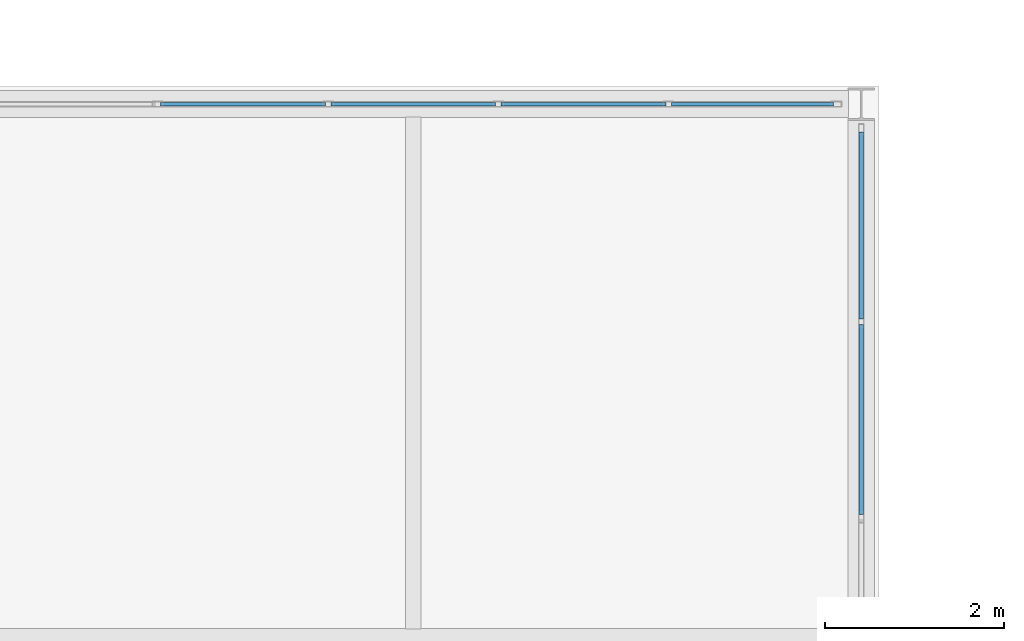
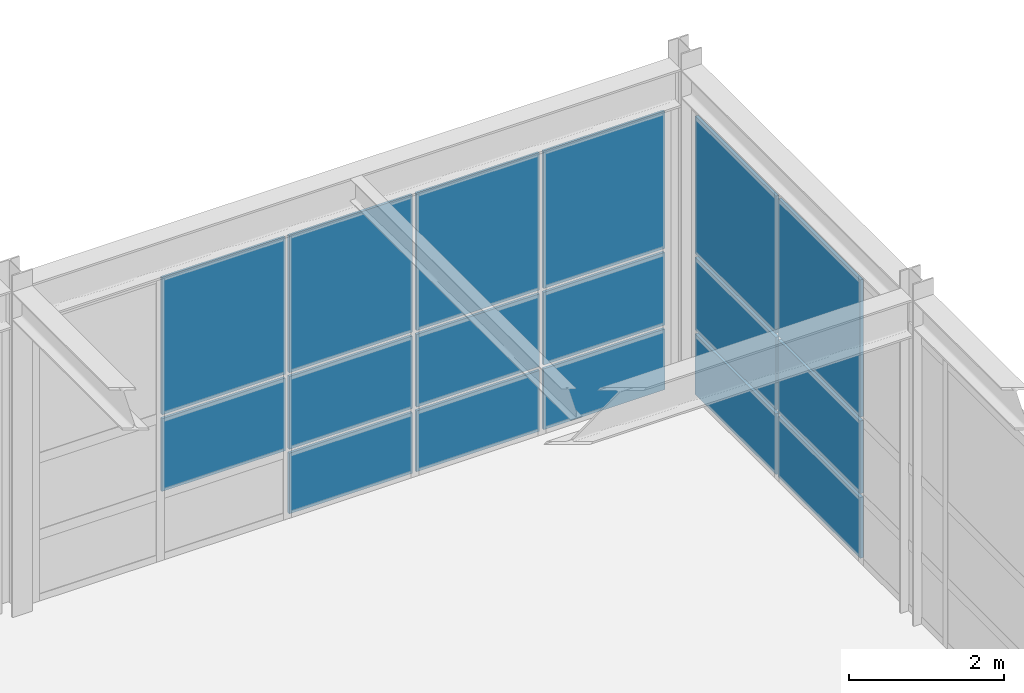
# One storey, part 149 of 210: 17 plates, 2 elements without a shape of their own.
"""IFC4 building model written with IfcOpenShell, lengths in metres."""

from ifc_helpers import new_model, si_unit, direction, frame, origin, origin_2d, place, context, subcontext, project, spatial, rectangle, extrude, material, type_object, element, aggregate, save


model = new_model("IFC4")

# Units and contexts
model_context = context("Model", 3, precision=1e-05, world=origin(), true_north=direction((0.0, 1.0)))
body_context = subcontext(model_context, "Body", "Model", "MODEL_VIEW")
ifc_project = project(units=[si_unit("LENGTHUNIT", "METRE"), si_unit("AREAUNIT", "SQUARE_METRE"), si_unit("VOLUMEUNIT", "CUBIC_METRE"), si_unit("PLANEANGLEUNIT", "RADIAN"), si_unit("MASSUNIT", "GRAM", prefix="KILO")], contexts=[model_context])

# Site, building, storey
site_placement = place(None, origin())
site = spatial("IfcSite", under=ifc_project, at=site_placement, CompositionType="ELEMENT")
building_placement = place(site_placement, origin())
building = spatial("IfcBuilding", under=site, at=building_placement, Name="Kaldris Quays Convention Centre", CompositionType="ELEMENT")
storey_placement = place(building_placement, frame((0.0, 0.0, 6.0)))
storey = spatial("IfcBuildingStorey", under=building, at=storey_placement, Name="L01", CompositionType="ELEMENT", Elevation=6.0)

# Curtain wall, plates
ifc_material_1 = material(Name="Anodized aluminium AW-6060 and triple glazing", Category="aluminium")
curtain_wall_type = type_object("IfcCurtainWallType", Name="UNITISED CURTAIN WALL CW06", PredefinedType="NOTDEFINED", material=ifc_material_1)
curtain_wall_1_placement = place(storey_placement, origin())
curtain_wall_1 = element("IfcCurtainWall", 1, at=curtain_wall_1_placement, inside=storey, type_object=curtain_wall_type, Name="L01 Unitised Curtain Wall CW06 163", PredefinedType="NOTDEFINED")
ifc_material_2 = material(Name="Triple low-E insulated glazing", Category="glass")
plate_type_1 = type_object("IfcPlateType", Name="CURTAIN GLAZING PANEL CWP3", PredefinedType="CURTAIN_PANEL", material=ifc_material_2)
plate_1_placement = place(storey_placement, frame((187.10009765625, 116.0, 1.080078125), z_axis=(0.0, 0.0, 1.0), x_axis=(1.0, 0.0, 0.0)))
plate_1 = element("IfcPlate", 2, at=plate_1_placement, type_object=plate_type_1, Name="CW06 panel 2.2", PredefinedType="CURTAIN_PANEL", context=body_context, shape_type="SweptSolid", body=[
    extrude(rectangle(XDim=1.840087890625, YDim=0.0390625, at=origin_2d()), origin(), (0.0, 0.0, 1.0), 1.14892578125),
])
plate_2_placement = place(storey_placement, frame((187.10009765625, 116.0, 2.2890625), z_axis=(0.0, 0.0, 1.0), x_axis=(1.0, 0.0, 0.0)))
plate_2 = element("IfcPlate", 3, at=plate_2_placement, type_object=plate_type_1, Name="CW06 panel 2.3", PredefinedType="CURTAIN_PANEL", context=body_context, shape_type="SweptSolid", body=[
    extrude(rectangle(XDim=1.840087890625, YDim=0.0390625, at=origin_2d()), origin(), (0.0, 0.0, 1.0), 2.1689453125),
])
plate_3_placement = place(storey_placement, frame((189.0, 116.0, 0.06005859375), z_axis=(0.0, 0.0, 1.0), x_axis=(1.0, 0.0, 0.0)))
plate_3 = element("IfcPlate", 4, at=plate_3_placement, type_object=plate_type_1, Name="CW06 panel 3.1", PredefinedType="CURTAIN_PANEL", context=body_context, shape_type="SweptSolid", body=[
    extrude(rectangle(XDim=1.840087890625, YDim=0.0390625, at=origin_2d()), origin(), (0.0, 0.0, 1.0), 0.9599609375),
])
plate_4_placement = place(storey_placement, frame((189.0, 116.0, 1.080078125), z_axis=(0.0, 0.0, 1.0), x_axis=(1.0, 0.0, 0.0)))
plate_4 = element("IfcPlate", 5, at=plate_4_placement, type_object=plate_type_1, Name="CW06 panel 3.2", PredefinedType="CURTAIN_PANEL", context=body_context, shape_type="SweptSolid", body=[
    extrude(rectangle(XDim=1.840087890625, YDim=0.0390625, at=origin_2d()), origin(), (0.0, 0.0, 1.0), 1.14892578125),
])
plate_5_placement = place(storey_placement, frame((189.0, 116.0, 2.2890625), z_axis=(0.0, 0.0, 1.0), x_axis=(1.0, 0.0, 0.0)))
plate_5 = element("IfcPlate", 6, at=plate_5_placement, type_object=plate_type_1, Name="CW06 panel 3.3", PredefinedType="CURTAIN_PANEL", context=body_context, shape_type="SweptSolid", body=[
    extrude(rectangle(XDim=1.840087890625, YDim=0.0390625, at=origin_2d()), origin(), (0.0, 0.0, 1.0), 2.1689453125),
])
plate_6_placement = place(storey_placement, frame((190.89990234375, 116.0, 0.06005859375), z_axis=(0.0, 0.0, 1.0), x_axis=(1.0, 0.0, 0.0)))
plate_6 = element("IfcPlate", 7, at=plate_6_placement, type_object=plate_type_1, Name="CW06 panel 4.1", PredefinedType="CURTAIN_PANEL", context=body_context, shape_type="SweptSolid", body=[
    extrude(rectangle(XDim=1.840087890625, YDim=0.0390625, at=origin_2d()), origin(), (0.0, 0.0, 1.0), 0.9599609375),
])
plate_7_placement = place(storey_placement, frame((190.89990234375, 116.0, 1.080078125), z_axis=(0.0, 0.0, 1.0), x_axis=(1.0, 0.0, 0.0)))
plate_7 = element("IfcPlate", 8, at=plate_7_placement, type_object=plate_type_1, Name="CW06 panel 4.2", PredefinedType="CURTAIN_PANEL", context=body_context, shape_type="SweptSolid", body=[
    extrude(rectangle(XDim=1.840087890625, YDim=0.0390625, at=origin_2d()), origin(), (0.0, 0.0, 1.0), 1.14892578125),
])
plate_8_placement = place(storey_placement, frame((190.89990234375, 116.0, 2.2890625), z_axis=(0.0, 0.0, 1.0), x_axis=(1.0, 0.0, 0.0)))
plate_8 = element("IfcPlate", 9, at=plate_8_placement, type_object=plate_type_1, Name="CW06 panel 4.3", PredefinedType="CURTAIN_PANEL", context=body_context, shape_type="SweptSolid", body=[
    extrude(rectangle(XDim=1.840087890625, YDim=0.0390625, at=origin_2d()), origin(), (0.0, 0.0, 1.0), 2.1689453125),
])
plate_9_placement = place(storey_placement, frame((192.784912109375, 116.0, 0.06005859375), z_axis=(0.0, 0.0, 1.0), x_axis=(1.0, 0.0, 0.0)))
plate_9 = element("IfcPlate", 10, at=plate_9_placement, type_object=plate_type_1, Name="CW06 panel 5.1", PredefinedType="CURTAIN_PANEL", context=body_context, shape_type="SweptSolid", body=[
    extrude(rectangle(XDim=1.81005859375, YDim=0.0390625, at=origin_2d()), origin(), (0.0, 0.0, 1.0), 0.9599609375),
])
plate_10_placement = place(storey_placement, frame((192.784912109375, 116.0, 1.080078125), z_axis=(0.0, 0.0, 1.0), x_axis=(1.0, 0.0, 0.0)))
plate_10 = element("IfcPlate", 11, at=plate_10_placement, type_object=plate_type_1, Name="CW06 panel 5.2", PredefinedType="CURTAIN_PANEL", context=body_context, shape_type="SweptSolid", body=[
    extrude(rectangle(XDim=1.81005859375, YDim=0.0390625, at=origin_2d()), origin(), (0.0, 0.0, 1.0), 1.14892578125),
])
plate_11_placement = place(storey_placement, frame((192.784912109375, 116.0, 2.2890625), z_axis=(0.0, 0.0, 1.0), x_axis=(1.0, 0.0, 0.0)))
plate_11 = element("IfcPlate", 12, at=plate_11_placement, type_object=plate_type_1, Name="CW06 panel 5.3", PredefinedType="CURTAIN_PANEL", context=body_context, shape_type="SweptSolid", body=[
    extrude(rectangle(XDim=1.81005859375, YDim=0.0390625, at=origin_2d()), origin(), (0.0, 0.0, 1.0), 2.1689453125),
])
aggregate(curtain_wall_1, [plate_1, plate_2, plate_3, plate_4, plate_5, plate_6, plate_7, plate_8, plate_9, plate_10, plate_11])

curtain_wall_2_placement = place(storey_placement, origin())
curtain_wall_2 = element("IfcCurtainWall", 13, at=curtain_wall_2_placement, inside=storey, type_object=curtain_wall_type, Name="L01 Unitised Curtain Wall CW06 165", PredefinedType="NOTDEFINED")
plate_type_2 = type_object("IfcPlateType", Name="CURTAIN GLAZING PANEL CWP5", PredefinedType="CURTAIN_PANEL", material=ifc_material_2)
plate_12_placement = place(storey_placement, frame((194.0, 112.47998046875, 0.06005859375), z_axis=(0.0, 0.0, 1.0), x_axis=(0.0, 1.0, 0.0)))
plate_12 = element("IfcPlate", 14, at=plate_12_placement, type_object=plate_type_2, Name="CW06 panel 4.1", PredefinedType="CURTAIN_PANEL", context=body_context, shape_type="SweptSolid", body=[
    extrude(rectangle(XDim=2.1201171875, YDim=0.049072265625, at=origin_2d()), origin(), (0.0, 0.0, 1.0), 0.9599609375),
])
plate_13_placement = place(storey_placement, frame((194.0, 112.47998046875, 1.080078125), z_axis=(0.0, 0.0, 1.0), x_axis=(0.0, 1.0, 0.0)))
plate_13 = element("IfcPlate", 15, at=plate_13_placement, type_object=plate_type_2, Name="CW06 panel 4.2", PredefinedType="CURTAIN_PANEL", context=body_context, shape_type="SweptSolid", body=[
    extrude(rectangle(XDim=2.1201171875, YDim=0.049072265625, at=origin_2d()), origin(), (0.0, 0.0, 1.0), 1.14892578125),
])
plate_14_placement = place(storey_placement, frame((194.0, 112.47998046875, 2.2890625), z_axis=(0.0, 0.0, 1.0), x_axis=(0.0, 1.0, 0.0)))
plate_14 = element("IfcPlate", 16, at=plate_14_placement, type_object=plate_type_2, Name="CW06 panel 4.3", PredefinedType="CURTAIN_PANEL", context=body_context, shape_type="SweptSolid", body=[
    extrude(rectangle(XDim=2.1201171875, YDim=0.049072265625, at=origin_2d()), origin(), (0.0, 0.0, 1.0), 2.1689453125),
])
plate_15_placement = place(storey_placement, frame((194.0, 114.64501953125, 0.06005859375), z_axis=(0.0, 0.0, 1.0), x_axis=(0.0, 1.0, 0.0)))
plate_15 = element("IfcPlate", 17, at=plate_15_placement, type_object=plate_type_2, Name="CW06 panel 5.1", PredefinedType="CURTAIN_PANEL", context=body_context, shape_type="SweptSolid", body=[
    extrude(rectangle(XDim=2.090087890625, YDim=0.049072265625, at=origin_2d()), origin(), (0.0, 0.0, 1.0), 0.9599609375),
])
plate_16_placement = place(storey_placement, frame((194.0, 114.64501953125, 1.080078125), z_axis=(0.0, 0.0, 1.0), x_axis=(0.0, 1.0, 0.0)))
plate_16 = element("IfcPlate", 18, at=plate_16_placement, type_object=plate_type_2, Name="CW06 panel 5.2", PredefinedType="CURTAIN_PANEL", context=body_context, shape_type="SweptSolid", body=[
    extrude(rectangle(XDim=2.090087890625, YDim=0.049072265625, at=origin_2d()), origin(), (0.0, 0.0, 1.0), 1.14892578125),
])
plate_17_placement = place(storey_placement, frame((194.0, 114.64501953125, 2.2890625), z_axis=(0.0, 0.0, 1.0), x_axis=(0.0, 1.0, 0.0)))
plate_17 = element("IfcPlate", 19, at=plate_17_placement, type_object=plate_type_2, Name="CW06 panel 5.3", PredefinedType="CURTAIN_PANEL", context=body_context, shape_type="SweptSolid", body=[
    extrude(rectangle(XDim=2.090087890625, YDim=0.049072265625, at=origin_2d()), origin(), (0.0, 0.0, 1.0), 2.1689453125),
])
aggregate(curtain_wall_2, [plate_12, plate_13, plate_14, plate_15, plate_16, plate_17])

save(model, "model.ifc")
